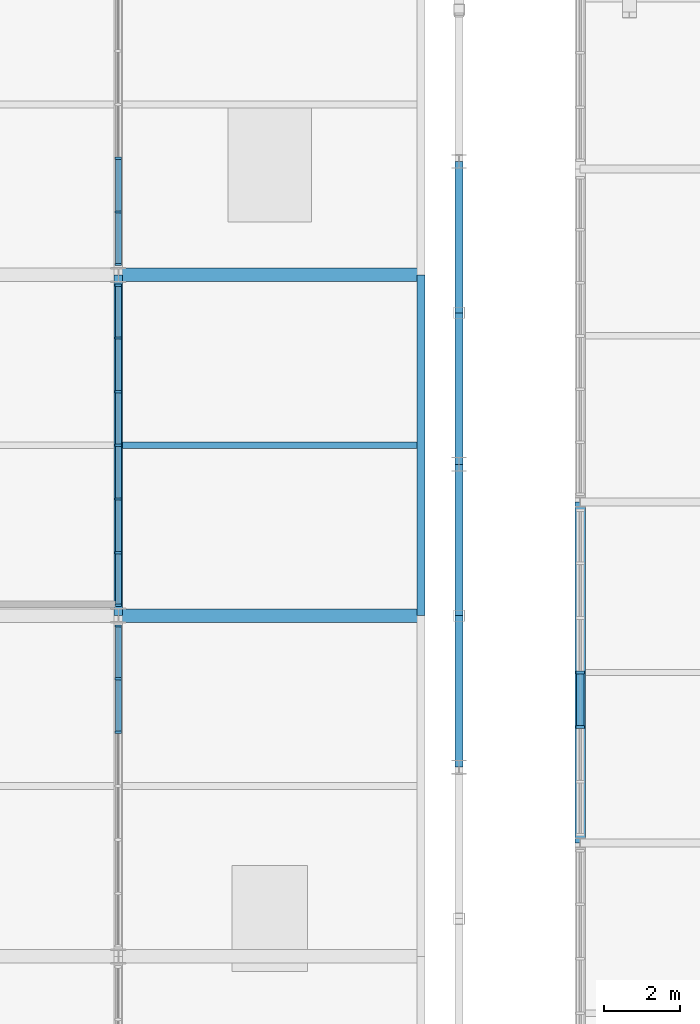
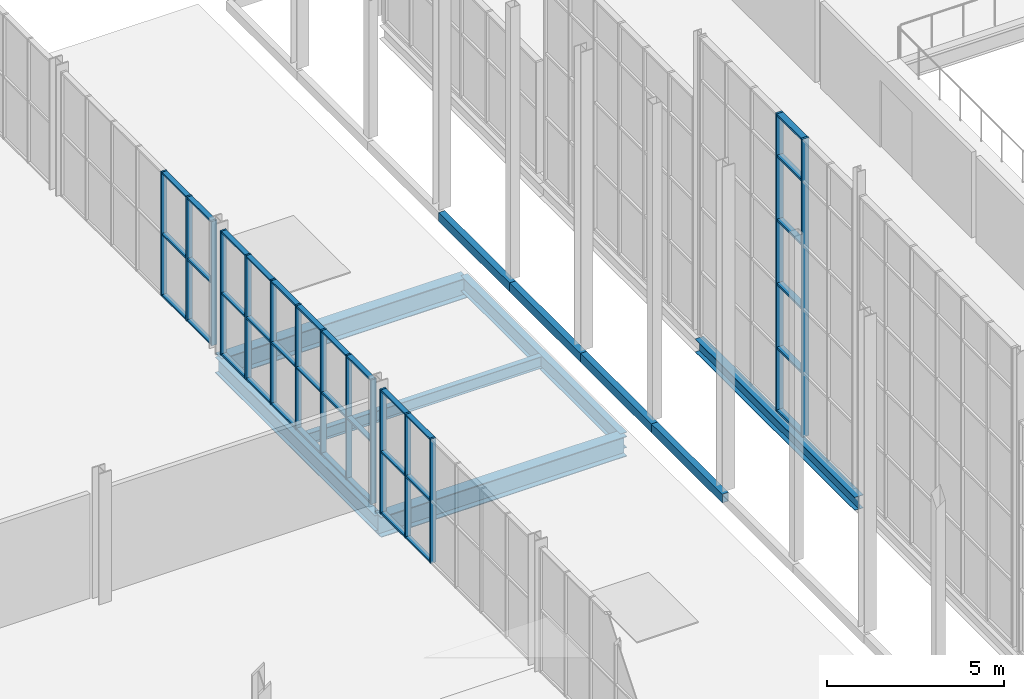
# One storey, part 53 of 134: 51 members, 10 beams, 4 elements without a shape of their own.
"""IFC4 building model written with IfcOpenShell, lengths in metres."""

import ifcopenshell
import ifcopenshell.guid

model = None  # the IFC model being written
_history = None  # IfcOwnerHistory: only IFC2X3 demands one
_inside = {}  # id of a spatial element -> (the spatial element, [elements in it])
_under = {}  # id of a project, library or spatial element -> (it, [spatial elements below it])
_declared = {}  # id of a project -> (the project, [libraries it declares])
_typed = {}  # id of a type object -> (the type object, [elements of that type])
_made_of = {}  # id of a material, layer set ... -> (it, [elements and type objects made of it])


def new_model(schema):
    """Start an empty IFC model of exactly this schema.

    Asked for "IFC4X3", IfcOpenShell would pick the latest addendum, in which some entities
    have other attributes; the version numbers below select the first issue.
    IFC2X3 requires an IfcOwnerHistory on every rooted entity: one is made here for all.
    """
    global model, _history
    if schema == "IFC4X3":
        model = ifcopenshell.file(schema_version=(4, 3, 0, 0))
    else:
        model = ifcopenshell.file(schema=schema)
    _inside.clear()
    _under.clear()
    _declared.clear()
    _typed.clear()
    _made_of.clear()
    _history = None
    if model.schema == "IFC2X3":
        org = make("IfcOrganization", Name="unknown")
        user = make(
            "IfcPersonAndOrganization",
            ThePerson=make("IfcPerson", FamilyName="unknown"),
            TheOrganization=org,
        )
        app = make(
            "IfcApplication",
            ApplicationDeveloper=org,
            Version="unknown",
            ApplicationFullName="unknown",
            ApplicationIdentifier="unknown",
        )
        _history = make(
            "IfcOwnerHistory",
            OwningUser=user,
            OwningApplication=app,
            ChangeAction="ADDED",
            CreationDate=0,
        )
    return model


def make(cls, **values):
    """One entity of the class cls with the attributes given. An attribute that is None is left unset."""
    return model.create_entity(
        cls, **{name: value for name, value in values.items() if value is not None}
    )


def rooted(cls, **values):
    """An entity with a GlobalId (a new one), such as an element, a storey or a relation."""
    return make(cls, GlobalId=ifcopenshell.guid.new(), OwnerHistory=_history, **values)


def si_unit(unit_type, name, prefix=None):
    """IfcSIUnit, for example si_unit("LENGTHUNIT", "METRE", prefix="MILLI")."""
    return make("IfcSIUnit", UnitType=unit_type, Prefix=prefix, Name=name)


def assignment(units):
    """IfcUnitAssignment: the units of a project."""
    return None if units is None else make("IfcUnitAssignment", Units=units)


def point(xyz):
    """IfcCartesianPoint."""
    return None if xyz is None else make("IfcCartesianPoint", Coordinates=xyz)


def direction(xyz):
    """IfcDirection."""
    return None if xyz is None else make("IfcDirection", DirectionRatios=xyz)


def frame(location, z_axis=None, x_axis=None):
    """IfcAxis2Placement3D, a coordinate frame: its origin and axes. An axis left out is left unset."""
    return make(
        "IfcAxis2Placement3D",
        Location=point(location),
        Axis=direction(z_axis),
        RefDirection=direction(x_axis),
    )


def frame_2d(location, x_axis=None):
    """IfcAxis2Placement2D, a coordinate frame in the plane: its origin and x axis."""
    return make(
        "IfcAxis2Placement2D", Location=point(location), RefDirection=direction(x_axis)
    )


def origin():
    """The frame at (0, 0, 0) with its axes left unset."""
    return frame((0.0, 0.0, 0.0))


def origin_2d():
    """The frame at (0, 0) in the plane with its x axis left unset."""
    return frame_2d((0.0, 0.0))


def place(relative_to, where):
    """IfcLocalPlacement: puts the frame where relative to a parent placement (None: the world)."""
    return make(
        "IfcLocalPlacement", PlacementRelTo=relative_to, RelativePlacement=where
    )


def context(
    kind, dimensions, precision=None, world=None, true_north=None, identifier=None
):
    """IfcGeometricRepresentationContext, for example the 3D "Model" context."""
    return make(
        "IfcGeometricRepresentationContext",
        ContextIdentifier=identifier,
        ContextType=kind,
        CoordinateSpaceDimension=dimensions,
        Precision=precision,
        WorldCoordinateSystem=world,
        TrueNorth=true_north,
    )


def subcontext(parent, identifier, kind, view, scale=None):
    """IfcGeometricRepresentationSubContext, for example "Body" below "Model"."""
    return make(
        "IfcGeometricRepresentationSubContext",
        ContextIdentifier=identifier,
        ContextType=kind,
        ParentContext=parent,
        TargetScale=scale,
        TargetView=view,
    )


def project(units=None, contexts=None):
    """IfcProject with its units and contexts."""
    return rooted(
        "IfcProject",
        Name="project",
        RepresentationContexts=contexts,
        UnitsInContext=assignment(units),
    )


def spatial(cls, under=None, at=None, **own):
    """A site, building, storey or space (cls), placed at a placement, below another one or the project."""
    s = rooted(cls, ObjectPlacement=at, **own)
    if under is not None:
        _under.setdefault(under.id(), (under, []))[1].append(s)
    return s


def profile(cls, at=None, kind="AREA", **sizes):
    """A parametric profile (cls). Its sizes go by their IFC names, for example OverallWidth=200.0."""
    return make(cls, ProfileType=kind, Position=at, **sizes)


def rectangle(**sizes):
    """IfcRectangleProfileDef."""
    return profile("IfcRectangleProfileDef", **sizes)


def hollow_rectangle(**sizes):
    """IfcRectangleHollowProfileDef."""
    return profile("IfcRectangleHollowProfileDef", **sizes)


def i_section(**sizes):
    """IfcIShapeProfileDef."""
    return profile("IfcIShapeProfileDef", **sizes)


def extrude(swept, where, along, depth):
    """IfcExtrudedAreaSolid: the profile swept, set in the frame where, extruded along a direction by depth."""
    return make(
        "IfcExtrudedAreaSolid",
        SweptArea=swept,
        Position=where,
        ExtrudedDirection=direction(along),
        Depth=depth,
    )


def shape(context_of_items, identifier, shape_type, items):
    """IfcShapeRepresentation: the items that make up one representation, for example the "Body"."""
    return make(
        "IfcShapeRepresentation",
        ContextOfItems=context_of_items,
        RepresentationIdentifier=identifier,
        RepresentationType=shape_type,
        Items=items,
    )


def material(Name=None, Category=None):
    """IfcMaterial."""
    return make("IfcMaterial", Name=Name, Category=Category)


def layer(
    of_material, thickness, ventilated=None, Name=None, Category=None, Priority=None
):
    """IfcMaterialLayer: one layer of a wall or slab, of a material (None: an air gap)."""
    return make(
        "IfcMaterialLayer",
        Material=of_material,
        LayerThickness=thickness,
        IsVentilated=ventilated,
        Name=Name,
        Category=Category,
        Priority=Priority,
    )


def layer_set(layers, Name=None):
    """IfcMaterialLayerSet."""
    return make("IfcMaterialLayerSet", MaterialLayers=layers, LayerSetName=Name)


def material_profile(
    of_material, cross_section, Name=None, Category=None, Priority=None
):
    """IfcMaterialProfile: a cross section and its material."""
    return make(
        "IfcMaterialProfile",
        Name=Name,
        Material=of_material,
        Profile=cross_section,
        Priority=Priority,
        Category=Category,
    )


def profile_set(profiles, Name=None, composite=None):
    """IfcMaterialProfileSet."""
    return make(
        "IfcMaterialProfileSet",
        Name=Name,
        MaterialProfiles=profiles,
        CompositeProfile=composite,
    )


def made_of(thing, what):
    """Note that an element or type object is made of a material, layer set ...; save() writes the relation."""
    if what is not None:
        _made_of.setdefault(what.id(), (what, []))[1].append(thing)
    return thing


def type_object(cls, material=None, **own):
    """A type object (cls), such as IfcWallType, which elements share."""
    return made_of(rooted(cls, **own), material)


def element(
    cls,
    number,
    at=None,
    inside=None,
    cuts=None,
    type_object=None,
    material=None,
    context=None,
    identifier="Body",
    shape_type=None,
    held_by="IfcProductDefinitionShape",
    body=None,
    shapes=None,
    **own,
):
    """One element of the class cls, such as IfcWall. Its Tag is "e" and its number.

    at: its placement. inside: the storey or other place that contains it. cuts: it is an
    opening in that element (IfcRelVoidsElement). A single representation is given by context,
    identifier, shape_type and body (its items); several are given by shapes. held_by: the class
    of the entity that holds the representations. save() writes the other relations.
    """
    e = rooted(cls, Tag="e%d" % number, ObjectPlacement=at, **own)
    if body is not None:
        shapes = [shape(context, identifier, shape_type, body)]
    if shapes is not None:
        e.Representation = make(held_by, Representations=shapes)
    if inside is not None:
        _inside.setdefault(inside.id(), (inside, []))[1].append(e)
    if cuts is not None:
        rooted(
            "IfcRelVoidsElement", RelatingBuildingElement=cuts, RelatedOpeningElement=e
        )
    if type_object is not None:
        _typed.setdefault(type_object.id(), (type_object, []))[1].append(e)
    return made_of(e, material)


def aggregate(whole, parts):
    """IfcRelAggregates: a whole, such as a stair, and the parts it consists of."""
    return rooted("IfcRelAggregates", RelatingObject=whole, RelatedObjects=parts)


def save(model, path):
    """Write the relations noted so far, then the file.

    IfcRelAggregates (storeys below a building ...), IfcRelContainedInSpatialStructure (elements
    in a storey), IfcRelDefinesByType, IfcRelAssociatesMaterial and IfcRelDeclares: one each for
    every whole, place, type object, material and project.
    """
    for whole, parts in _under.values():
        aggregate(whole, parts)
    for where, things in _inside.values():
        rooted(
            "IfcRelContainedInSpatialStructure",
            RelatedElements=things,
            RelatingStructure=where,
        )
    for kind, things in _typed.values():
        rooted("IfcRelDefinesByType", RelatedObjects=things, RelatingType=kind)
    for what, things in _made_of.values():
        rooted("IfcRelAssociatesMaterial", RelatedObjects=things, RelatingMaterial=what)
    for by, libraries in _declared.values():
        rooted("IfcRelDeclares", RelatingContext=by, RelatedDefinitions=libraries)
    model.write(path)


model = new_model("IFC4")

# Units and contexts
model_context = context("Model", 3, precision=1e-05, world=origin(), true_north=direction((0.0, 1.0)))
body_context = subcontext(model_context, "Body", "Model", "MODEL_VIEW")
ifc_project = project(units=[si_unit("LENGTHUNIT", "METRE"), si_unit("AREAUNIT", "SQUARE_METRE"), si_unit("VOLUMEUNIT", "CUBIC_METRE"), si_unit("PLANEANGLEUNIT", "RADIAN"), si_unit("MASSUNIT", "GRAM", prefix="KILO")], contexts=[model_context])

# Site, building, storey
site_placement = place(None, origin())
site = spatial("IfcSite", under=ifc_project, at=site_placement, CompositionType="ELEMENT")
building_placement = place(site_placement, origin())
building = spatial("IfcBuilding", under=site, at=building_placement, Name="Cazmaro Siding Exhibition Halls", CompositionType="ELEMENT")
storey_placement = place(building_placement, frame((0.0, 0.0, 12.0)))
storey = spatial("IfcBuildingStorey", under=building, at=storey_placement, Name="L02", CompositionType="ELEMENT", Elevation=12.0)

# Beams
ifc_material_1 = material(Name="Steel ASTM A992 Grade 50", Category="steel")
ifc_material_profile_1 = material_profile(ifc_material_1, i_section(OverallWidth=0.214111328125, OverallDepth=0.549072265625, WebThickness=0.014892578125, FlangeThickness=0.02392578125, at=origin_2d()), Name="W21X93")
ifc_profile_set_1 = profile_set([ifc_material_profile_1], Name="Steel ASTM A992 Grade 50")
beam_type_1 = type_object("IfcBeamType", Name="B-01", PredefinedType="BEAM", material=ifc_profile_set_1)
beam_1_placement = place(storey_placement, frame((36.0, 100.0, -0.4951171875), z_axis=(0.0, 1.0, 0.0), x_axis=(-1.0, 0.0, 0.0)))
element("IfcBeam", 1, at=beam_1_placement, inside=storey, type_object=beam_type_1, Name="Beam B-01 BM-2153", PredefinedType="BEAM", context=body_context, shape_type="SweptSolid", body=[
    extrude(i_section(OverallWidth=0.214111328125, OverallDepth=0.549072265625, WebThickness=0.014892578125, FlangeThickness=0.02392578125, at=origin_2d()), origin(), (0.0, 0.0, 1.0), 9.0),
])
ifc_material_2 = material(Name="Steel ASTM A992 Grade 50", Category="steel")
ifc_material_profile_2 = material_profile(ifc_material_2, i_section(OverallWidth=0.2099609375, OverallDepth=0.535888671875, WebThickness=0.010986328125, FlangeThickness=0.01708984375, at=origin_2d()), Name="W21X68")
ifc_profile_set_2 = profile_set([ifc_material_profile_2], Name="Steel ASTM A992 Grade 50")
beam_type_2 = type_object("IfcBeamType", Name="B-02", PredefinedType="BEAM", material=ifc_profile_set_2)
beam_2_placement = place(storey_placement, frame((44.0, 100.0, -0.488037109375), z_axis=(0.0, 1.0, 0.0), x_axis=(-1.0, 0.0, 0.0)))
element("IfcBeam", 2, at=beam_2_placement, inside=storey, type_object=beam_type_2, Name="Beam B-02 BM-2166", PredefinedType="BEAM", context=body_context, shape_type="SweptSolid", body=[
    extrude(i_section(OverallWidth=0.2099609375, OverallDepth=0.535888671875, WebThickness=0.010986328125, FlangeThickness=0.01708984375, at=origin_2d()), origin(), (0.0, 0.0, 1.0), 9.0),
])
ifc_material_3 = material(Name="Steel ASTM A992 Grade 50", Category="steel")
ifc_material_profile_3 = material_profile(ifc_material_3, i_section(OverallWidth=0.279052734375, OverallDepth=0.4619140625, WebThickness=0.010986328125, FlangeThickness=0.01708984375, at=origin_2d()), Name="W18X76")
ifc_profile_set_3 = profile_set([ifc_material_profile_3], Name="Steel ASTM A992 Grade 50")
beam_type_3 = type_object("IfcBeamType", Name="B-03", PredefinedType="BEAM", material=ifc_profile_set_3)
beam_3_placement = place(storey_placement, frame((48.199951171875, 94.0, -0.450927734375), z_axis=(0.0, 1.0, 0.0), x_axis=(-1.0, 0.0, 0.0)))
element("IfcBeam", 3, at=beam_3_placement, inside=storey, type_object=beam_type_3, Name="Beam B-03 BM-0495", PredefinedType="BEAM", context=body_context, shape_type="SweptSolid", body=[
    extrude(i_section(OverallWidth=0.279052734375, OverallDepth=0.4619140625, WebThickness=0.010986328125, FlangeThickness=0.01708984375, at=origin_2d()), origin(), (0.0, 0.0, 1.0), 9.0),
])

# Curtain wall, members
ifc_material_4 = material(Name="Anodized Bronze Aluminum and Solar-Control Low-E Glazing", Category="aluminium")
ifc_layer_1 = layer(ifc_material_4, 0.179931640625)
ifc_layer_set_1 = layer_set([ifc_layer_1], Name="Anodized Bronze Aluminum and Solar-Control Low-E Glazing")
curtain_wall_type_1 = type_object("IfcCurtainWallType", Name="CWS-01", PredefinedType="USERDEFINED", material=ifc_layer_set_1)
curtain_wall_1_placement = place(storey_placement, origin())
curtain_wall_1 = element("IfcCurtainWall", 4, at=curtain_wall_1_placement, inside=storey, type_object=curtain_wall_type_1, Name="Glazed Curtain Wall CWS-01 CW-241", ObjectType="GLAZED CURTAIN WALL", PredefinedType="USERDEFINED")
ifc_material_5 = material(Name="Anodized Bronze Extruded Aluminum", Category="aluminium")
ifc_material_profile_4 = material_profile(ifc_material_5, rectangle(XDim=0.179931640625, YDim=0.06005859375, at=origin_2d()), Name="CWM-01")
ifc_profile_set_4 = profile_set([ifc_material_profile_4], Name="Anodized Bronze Extruded Aluminum")
member_type_1 = type_object("IfcMemberType", Name="CWM-01", PredefinedType="MULLION", material=ifc_profile_set_4)
member_1_placement = place(storey_placement, frame((36.0, 96.918212890625, 0.0), z_axis=(0.0, 0.0, 1.0), x_axis=(-1.0, 0.0, 0.0)))
member_1 = element("IfcMember", 5, at=member_1_placement, type_object=member_type_1, Name="CWS-01 mullion 5", PredefinedType="MULLION", context=body_context, shape_type="SweptSolid", body=[
    extrude(rectangle(XDim=0.179931640625, YDim=0.06005859375, at=origin_2d()), origin(), (0.0, 0.0, 1.0), 4.280029296875),
])
member_2_placement = place(storey_placement, frame((36.0, 98.336669921875, 0.0), z_axis=(0.0, 0.0, 1.0), x_axis=(-1.0, 0.0, 0.0)))
member_2 = element("IfcMember", 6, at=member_2_placement, type_object=member_type_1, Name="CWS-01 mullion 6", PredefinedType="MULLION", context=body_context, shape_type="SweptSolid", body=[
    extrude(rectangle(XDim=0.179931640625, YDim=0.06005859375, at=origin_2d()), origin(), (0.0, 0.0, 1.0), 4.280029296875),
])
member_3_placement = place(storey_placement, frame((36.0, 99.72509765625, 0.0), z_axis=(0.0, 0.0, 1.0), x_axis=(-1.0, 0.0, 0.0)))
member_3 = element("IfcMember", 7, at=member_3_placement, type_object=member_type_1, Name="CWS-01 mullion 7", PredefinedType="MULLION", context=body_context, shape_type="SweptSolid", body=[
    extrude(rectangle(XDim=0.179931640625, YDim=0.06005859375, at=origin_2d()), origin(), (0.0, 0.0, 1.0), 4.280029296875),
])

curtain_wall_2_placement = place(storey_placement, origin())
curtain_wall_2 = element("IfcCurtainWall", 8, at=curtain_wall_2_placement, inside=storey, type_object=curtain_wall_type_1, Name="Glazed Curtain Wall CWS-01 CW-243", ObjectType="GLAZED CURTAIN WALL", PredefinedType="USERDEFINED")
member_4_placement = place(storey_placement, frame((36.0, 100.27490234375, 0.0), z_axis=(0.0, 0.0, 1.0), x_axis=(-1.0, 0.0, 0.0)))
member_4 = element("IfcMember", 9, at=member_4_placement, type_object=member_type_1, Name="CWS-01 mullion 1", PredefinedType="MULLION", context=body_context, shape_type="SweptSolid", body=[
    extrude(rectangle(XDim=0.179931640625, YDim=0.06005859375, at=origin_2d()), origin(), (0.0, 0.0, 1.0), 4.280029296875),
])
member_5_placement = place(storey_placement, frame((36.0, 101.663330078125, 0.0), z_axis=(0.0, 0.0, 1.0), x_axis=(-1.0, 0.0, 0.0)))
member_5 = element("IfcMember", 10, at=member_5_placement, type_object=member_type_1, Name="CWS-01 mullion 2", PredefinedType="MULLION", context=body_context, shape_type="SweptSolid", body=[
    extrude(rectangle(XDim=0.179931640625, YDim=0.06005859375, at=origin_2d()), origin(), (0.0, 0.0, 1.0), 4.280029296875),
])
member_6_placement = place(storey_placement, frame((36.0, 103.081787109375, 0.0), z_axis=(0.0, 0.0, 1.0), x_axis=(-1.0, 0.0, 0.0)))
member_6 = element("IfcMember", 11, at=member_6_placement, type_object=member_type_1, Name="CWS-01 mullion 3", PredefinedType="MULLION", context=body_context, shape_type="SweptSolid", body=[
    extrude(rectangle(XDim=0.179931640625, YDim=0.06005859375, at=origin_2d()), origin(), (0.0, 0.0, 1.0), 4.280029296875),
])
member_7_placement = place(storey_placement, frame((36.0, 104.5, 0.0), z_axis=(0.0, 0.0, 1.0), x_axis=(-1.0, 0.0, 0.0)))
member_7 = element("IfcMember", 12, at=member_7_placement, type_object=member_type_1, Name="CWS-01 mullion 4", PredefinedType="MULLION", context=body_context, shape_type="SweptSolid", body=[
    extrude(rectangle(XDim=0.179931640625, YDim=0.06005859375, at=origin_2d()), origin(), (0.0, 0.0, 1.0), 4.280029296875),
])
member_8_placement = place(storey_placement, frame((36.0, 105.918212890625, 0.0), z_axis=(0.0, 0.0, 1.0), x_axis=(-1.0, 0.0, 0.0)))
member_8 = element("IfcMember", 13, at=member_8_placement, type_object=member_type_1, Name="CWS-01 mullion 5", PredefinedType="MULLION", context=body_context, shape_type="SweptSolid", body=[
    extrude(rectangle(XDim=0.179931640625, YDim=0.06005859375, at=origin_2d()), origin(), (0.0, 0.0, 1.0), 4.280029296875),
])
member_9_placement = place(storey_placement, frame((36.0, 107.336669921875, 0.0), z_axis=(0.0, 0.0, 1.0), x_axis=(-1.0, 0.0, 0.0)))
member_9 = element("IfcMember", 14, at=member_9_placement, type_object=member_type_1, Name="CWS-01 mullion 6", PredefinedType="MULLION", context=body_context, shape_type="SweptSolid", body=[
    extrude(rectangle(XDim=0.179931640625, YDim=0.06005859375, at=origin_2d()), origin(), (0.0, 0.0, 1.0), 4.280029296875),
])
member_10_placement = place(storey_placement, frame((36.0, 108.72509765625, 0.0), z_axis=(0.0, 0.0, 1.0), x_axis=(-1.0, 0.0, 0.0)))
member_10 = element("IfcMember", 15, at=member_10_placement, type_object=member_type_1, Name="CWS-01 mullion 7", PredefinedType="MULLION", context=body_context, shape_type="SweptSolid", body=[
    extrude(rectangle(XDim=0.179931640625, YDim=0.06005859375, at=origin_2d()), origin(), (0.0, 0.0, 1.0), 4.280029296875),
])

curtain_wall_3_placement = place(storey_placement, origin())
curtain_wall_3 = element("IfcCurtainWall", 16, at=curtain_wall_3_placement, inside=storey, type_object=curtain_wall_type_1, Name="Glazed Curtain Wall CWS-01 CW-244", ObjectType="GLAZED CURTAIN WALL", PredefinedType="USERDEFINED")
member_11_placement = place(storey_placement, frame((36.0, 109.27490234375, 0.0), z_axis=(0.0, 0.0, 1.0), x_axis=(-1.0, 0.0, 0.0)))
member_11 = element("IfcMember", 17, at=member_11_placement, type_object=member_type_1, Name="CWS-01 mullion 1", PredefinedType="MULLION", context=body_context, shape_type="SweptSolid", body=[
    extrude(rectangle(XDim=0.179931640625, YDim=0.06005859375, at=origin_2d()), origin(), (0.0, 0.0, 1.0), 4.280029296875),
])
member_12_placement = place(storey_placement, frame((36.0, 110.663330078125, 0.0), z_axis=(0.0, 0.0, 1.0), x_axis=(-1.0, 0.0, 0.0)))
member_12 = element("IfcMember", 18, at=member_12_placement, type_object=member_type_1, Name="CWS-01 mullion 2", PredefinedType="MULLION", context=body_context, shape_type="SweptSolid", body=[
    extrude(rectangle(XDim=0.179931640625, YDim=0.06005859375, at=origin_2d()), origin(), (0.0, 0.0, 1.0), 4.280029296875),
])
member_13_placement = place(storey_placement, frame((36.0, 112.081787109375, 0.0), z_axis=(0.0, 0.0, 1.0), x_axis=(-1.0, 0.0, 0.0)))
member_13 = element("IfcMember", 19, at=member_13_placement, type_object=member_type_1, Name="CWS-01 mullion 3", PredefinedType="MULLION", context=body_context, shape_type="SweptSolid", body=[
    extrude(rectangle(XDim=0.179931640625, YDim=0.06005859375, at=origin_2d()), origin(), (0.0, 0.0, 1.0), 4.280029296875),
])

ifc_material_6 = material(Name="Anodized Bronze Aluminum and Solar-Control Low-E Glazing", Category="aluminium")
ifc_layer_2 = layer(ifc_material_6, 0.219970703125)
ifc_layer_set_2 = layer_set([ifc_layer_2], Name="Anodized Bronze Aluminum and Solar-Control Low-E Glazing")
curtain_wall_type_2 = type_object("IfcCurtainWallType", Name="CWS-03", PredefinedType="USERDEFINED", material=ifc_layer_set_2)
curtain_wall_4_placement = place(storey_placement, origin())
curtain_wall_4 = element("IfcCurtainWall", 20, at=curtain_wall_4_placement, inside=storey, type_object=curtain_wall_type_2, Name="Glazed Curtain Wall CWS-03 CW-058", ObjectType="GLAZED CURTAIN WALL", PredefinedType="USERDEFINED")
ifc_material_7 = material(Name="Anodized Bronze Extruded Aluminum", Category="aluminium")
ifc_material_profile_5 = material_profile(ifc_material_7, rectangle(XDim=0.219970703125, YDim=0.070068359375, at=origin_2d()), Name="CWM-03")
ifc_profile_set_5 = profile_set([ifc_material_profile_5], Name="Anodized Bronze Extruded Aluminum")
member_type_2 = type_object("IfcMemberType", Name="CWM-03", PredefinedType="MULLION", material=ifc_profile_set_5)
member_14_placement = place(storey_placement, frame((48.199951171875, 98.5, 0.0), z_axis=(0.0, 0.0, 1.0), x_axis=(1.0, 0.0, 0.0)))
member_14 = element("IfcMember", 21, at=member_14_placement, type_object=member_type_2, Name="CWS-03 mullion 4", PredefinedType="MULLION", context=body_context, shape_type="SweptSolid", body=[
    extrude(rectangle(XDim=0.219970703125, YDim=0.070068359375, at=origin_2d()), origin(), (0.0, 0.0, 1.0), 10.258056640625),
])
member_15_placement = place(storey_placement, frame((48.199951171875, 97.05908203125, 0.0), z_axis=(0.0, 0.0, 1.0), x_axis=(1.0, 0.0, 0.0)))
member_15 = element("IfcMember", 22, at=member_15_placement, type_object=member_type_2, Name="CWS-03 mullion 5", PredefinedType="MULLION", context=body_context, shape_type="SweptSolid", body=[
    extrude(rectangle(XDim=0.219970703125, YDim=0.070068359375, at=origin_2d()), origin(), (0.0, 0.0, 1.0), 10.258056640625),
])

# Member
ifc_material_8 = material(Name="Anodized Bronze Extruded Aluminum", Category="aluminium")
ifc_material_profile_6 = material_profile(ifc_material_8, rectangle(XDim=0.159912109375, YDim=0.06005859375, at=origin_2d()), Name="CWT-01")
ifc_profile_set_6 = profile_set([ifc_material_profile_6], Name="Anodized Bronze Extruded Aluminum")
member_type_3 = type_object("IfcMemberType", Name="CWT-01", PredefinedType="MULLION", material=ifc_profile_set_6)
member_16_placement = place(storey_placement, frame((36.0, 96.9482421875, 0.030029296875), z_axis=(0.0, 1.0, 0.0), x_axis=(-1.0, 0.0, 0.0)))
member_16 = element("IfcMember", 23, at=member_16_placement, type_object=member_type_3, Name="CWS-01 transom 5.1", ObjectType="TRANSOM", PredefinedType="USERDEFINED", context=body_context, shape_type="SweptSolid", body=[
    extrude(rectangle(XDim=0.159912109375, YDim=0.06005859375, at=origin_2d()), origin(), (0.0, 0.0, 1.0), 1.3583984375),
])

member_17_placement = place(storey_placement, frame((36.0, 96.9482421875, 2.139892578125), z_axis=(0.0, 1.0, 0.0), x_axis=(-1.0, 0.0, 0.0)))
member_17 = element("IfcMember", 24, at=member_17_placement, type_object=member_type_3, Name="CWS-01 transom 5.2", ObjectType="TRANSOM", PredefinedType="USERDEFINED", context=body_context, shape_type="SweptSolid", body=[
    extrude(rectangle(XDim=0.159912109375, YDim=0.06005859375, at=origin_2d()), origin(), (0.0, 0.0, 1.0), 1.3583984375),
])

member_18_placement = place(storey_placement, frame((36.0, 96.9482421875, 4.25), z_axis=(0.0, 1.0, 0.0), x_axis=(-1.0, 0.0, 0.0)))
member_18 = element("IfcMember", 25, at=member_18_placement, type_object=member_type_3, Name="CWS-01 transom 5.3", ObjectType="TRANSOM", PredefinedType="USERDEFINED", context=body_context, shape_type="SweptSolid", body=[
    extrude(rectangle(XDim=0.159912109375, YDim=0.06005859375, at=origin_2d()), origin(), (0.0, 0.0, 1.0), 1.3583984375),
])

member_19_placement = place(storey_placement, frame((36.0, 98.36669921875, 0.030029296875), z_axis=(0.0, 1.0, 0.0), x_axis=(-1.0, 0.0, 0.0)))
member_19 = element("IfcMember", 26, at=member_19_placement, type_object=member_type_3, Name="CWS-01 transom 6.1", ObjectType="TRANSOM", PredefinedType="USERDEFINED", context=body_context, shape_type="SweptSolid", body=[
    extrude(rectangle(XDim=0.159912109375, YDim=0.06005859375, at=origin_2d()), origin(), (0.0, 0.0, 1.0), 1.328369140625),
])

member_20_placement = place(storey_placement, frame((36.0, 98.36669921875, 2.139892578125), z_axis=(0.0, 1.0, 0.0), x_axis=(-1.0, 0.0, 0.0)))
member_20 = element("IfcMember", 27, at=member_20_placement, type_object=member_type_3, Name="CWS-01 transom 6.2", ObjectType="TRANSOM", PredefinedType="USERDEFINED", context=body_context, shape_type="SweptSolid", body=[
    extrude(rectangle(XDim=0.159912109375, YDim=0.06005859375, at=origin_2d()), origin(), (0.0, 0.0, 1.0), 1.328369140625),
])

member_21_placement = place(storey_placement, frame((36.0, 98.36669921875, 4.25), z_axis=(0.0, 1.0, 0.0), x_axis=(-1.0, 0.0, 0.0)))
member_21 = element("IfcMember", 28, at=member_21_placement, type_object=member_type_3, Name="CWS-01 transom 6.3", ObjectType="TRANSOM", PredefinedType="USERDEFINED", context=body_context, shape_type="SweptSolid", body=[
    extrude(rectangle(XDim=0.159912109375, YDim=0.06005859375, at=origin_2d()), origin(), (0.0, 0.0, 1.0), 1.328369140625),
])

aggregate(curtain_wall_1, [member_1, member_2, member_3, member_16, member_17, member_18, member_19, member_20, member_21])

member_22_placement = place(storey_placement, frame((36.0, 100.304931640625, 0.030029296875), z_axis=(0.0, 1.0, 0.0), x_axis=(-1.0, 0.0, 0.0)))
member_22 = element("IfcMember", 29, at=member_22_placement, type_object=member_type_3, Name="CWS-01 transom 1.1", ObjectType="TRANSOM", PredefinedType="USERDEFINED", context=body_context, shape_type="SweptSolid", body=[
    extrude(rectangle(XDim=0.159912109375, YDim=0.06005859375, at=origin_2d()), origin(), (0.0, 0.0, 1.0), 1.328369140625),
])

member_23_placement = place(storey_placement, frame((36.0, 100.304931640625, 2.139892578125), z_axis=(0.0, 1.0, 0.0), x_axis=(-1.0, 0.0, 0.0)))
member_23 = element("IfcMember", 30, at=member_23_placement, type_object=member_type_3, Name="CWS-01 transom 1.2", ObjectType="TRANSOM", PredefinedType="USERDEFINED", context=body_context, shape_type="SweptSolid", body=[
    extrude(rectangle(XDim=0.159912109375, YDim=0.06005859375, at=origin_2d()), origin(), (0.0, 0.0, 1.0), 1.328369140625),
])

member_24_placement = place(storey_placement, frame((36.0, 100.304931640625, 4.25), z_axis=(0.0, 1.0, 0.0), x_axis=(-1.0, 0.0, 0.0)))
member_24 = element("IfcMember", 31, at=member_24_placement, type_object=member_type_3, Name="CWS-01 transom 1.3", ObjectType="TRANSOM", PredefinedType="USERDEFINED", context=body_context, shape_type="SweptSolid", body=[
    extrude(rectangle(XDim=0.159912109375, YDim=0.06005859375, at=origin_2d()), origin(), (0.0, 0.0, 1.0), 1.328369140625),
])

member_25_placement = place(storey_placement, frame((36.0, 101.693359375, 0.030029296875), z_axis=(0.0, 1.0, 0.0), x_axis=(-1.0, 0.0, 0.0)))
member_25 = element("IfcMember", 32, at=member_25_placement, type_object=member_type_3, Name="CWS-01 transom 2.1", ObjectType="TRANSOM", PredefinedType="USERDEFINED", context=body_context, shape_type="SweptSolid", body=[
    extrude(rectangle(XDim=0.159912109375, YDim=0.06005859375, at=origin_2d()), origin(), (0.0, 0.0, 1.0), 1.3583984375),
])

member_26_placement = place(storey_placement, frame((36.0, 101.693359375, 2.139892578125), z_axis=(0.0, 1.0, 0.0), x_axis=(-1.0, 0.0, 0.0)))
member_26 = element("IfcMember", 33, at=member_26_placement, type_object=member_type_3, Name="CWS-01 transom 2.2", ObjectType="TRANSOM", PredefinedType="USERDEFINED", context=body_context, shape_type="SweptSolid", body=[
    extrude(rectangle(XDim=0.159912109375, YDim=0.06005859375, at=origin_2d()), origin(), (0.0, 0.0, 1.0), 1.3583984375),
])

member_27_placement = place(storey_placement, frame((36.0, 101.693359375, 4.25), z_axis=(0.0, 1.0, 0.0), x_axis=(-1.0, 0.0, 0.0)))
member_27 = element("IfcMember", 34, at=member_27_placement, type_object=member_type_3, Name="CWS-01 transom 2.3", ObjectType="TRANSOM", PredefinedType="USERDEFINED", context=body_context, shape_type="SweptSolid", body=[
    extrude(rectangle(XDim=0.159912109375, YDim=0.06005859375, at=origin_2d()), origin(), (0.0, 0.0, 1.0), 1.3583984375),
])

member_28_placement = place(storey_placement, frame((36.0, 103.111572265625, 0.030029296875), z_axis=(0.0, 1.0, 0.0), x_axis=(-1.0, 0.0, 0.0)))
member_28 = element("IfcMember", 35, at=member_28_placement, type_object=member_type_3, Name="CWS-01 transom 3.1", ObjectType="TRANSOM", PredefinedType="USERDEFINED", context=body_context, shape_type="SweptSolid", body=[
    extrude(rectangle(XDim=0.159912109375, YDim=0.06005859375, at=origin_2d()), origin(), (0.0, 0.0, 1.0), 1.3583984375),
])

member_29_placement = place(storey_placement, frame((36.0, 103.111572265625, 2.139892578125), z_axis=(0.0, 1.0, 0.0), x_axis=(-1.0, 0.0, 0.0)))
member_29 = element("IfcMember", 36, at=member_29_placement, type_object=member_type_3, Name="CWS-01 transom 3.2", ObjectType="TRANSOM", PredefinedType="USERDEFINED", context=body_context, shape_type="SweptSolid", body=[
    extrude(rectangle(XDim=0.159912109375, YDim=0.06005859375, at=origin_2d()), origin(), (0.0, 0.0, 1.0), 1.3583984375),
])

member_30_placement = place(storey_placement, frame((36.0, 103.111572265625, 4.25), z_axis=(0.0, 1.0, 0.0), x_axis=(-1.0, 0.0, 0.0)))
member_30 = element("IfcMember", 37, at=member_30_placement, type_object=member_type_3, Name="CWS-01 transom 3.3", ObjectType="TRANSOM", PredefinedType="USERDEFINED", context=body_context, shape_type="SweptSolid", body=[
    extrude(rectangle(XDim=0.159912109375, YDim=0.06005859375, at=origin_2d()), origin(), (0.0, 0.0, 1.0), 1.3583984375),
])

member_31_placement = place(storey_placement, frame((36.0, 104.530029296875, 0.030029296875), z_axis=(0.0, 1.0, 0.0), x_axis=(-1.0, 0.0, 0.0)))
member_31 = element("IfcMember", 38, at=member_31_placement, type_object=member_type_3, Name="CWS-01 transom 4.1", ObjectType="TRANSOM", PredefinedType="USERDEFINED", context=body_context, shape_type="SweptSolid", body=[
    extrude(rectangle(XDim=0.159912109375, YDim=0.06005859375, at=origin_2d()), origin(), (0.0, 0.0, 1.0), 1.3583984375),
])

member_32_placement = place(storey_placement, frame((36.0, 104.530029296875, 2.139892578125), z_axis=(0.0, 1.0, 0.0), x_axis=(-1.0, 0.0, 0.0)))
member_32 = element("IfcMember", 39, at=member_32_placement, type_object=member_type_3, Name="CWS-01 transom 4.2", ObjectType="TRANSOM", PredefinedType="USERDEFINED", context=body_context, shape_type="SweptSolid", body=[
    extrude(rectangle(XDim=0.159912109375, YDim=0.06005859375, at=origin_2d()), origin(), (0.0, 0.0, 1.0), 1.3583984375),
])

member_33_placement = place(storey_placement, frame((36.0, 104.530029296875, 4.25), z_axis=(0.0, 1.0, 0.0), x_axis=(-1.0, 0.0, 0.0)))
member_33 = element("IfcMember", 40, at=member_33_placement, type_object=member_type_3, Name="CWS-01 transom 4.3", ObjectType="TRANSOM", PredefinedType="USERDEFINED", context=body_context, shape_type="SweptSolid", body=[
    extrude(rectangle(XDim=0.159912109375, YDim=0.06005859375, at=origin_2d()), origin(), (0.0, 0.0, 1.0), 1.3583984375),
])

member_34_placement = place(storey_placement, frame((36.0, 105.9482421875, 0.030029296875), z_axis=(0.0, 1.0, 0.0), x_axis=(-1.0, 0.0, 0.0)))
member_34 = element("IfcMember", 41, at=member_34_placement, type_object=member_type_3, Name="CWS-01 transom 5.1", ObjectType="TRANSOM", PredefinedType="USERDEFINED", context=body_context, shape_type="SweptSolid", body=[
    extrude(rectangle(XDim=0.159912109375, YDim=0.06005859375, at=origin_2d()), origin(), (0.0, 0.0, 1.0), 1.3583984375),
])

member_35_placement = place(storey_placement, frame((36.0, 105.9482421875, 2.139892578125), z_axis=(0.0, 1.0, 0.0), x_axis=(-1.0, 0.0, 0.0)))
member_35 = element("IfcMember", 42, at=member_35_placement, type_object=member_type_3, Name="CWS-01 transom 5.2", ObjectType="TRANSOM", PredefinedType="USERDEFINED", context=body_context, shape_type="SweptSolid", body=[
    extrude(rectangle(XDim=0.159912109375, YDim=0.06005859375, at=origin_2d()), origin(), (0.0, 0.0, 1.0), 1.3583984375),
])

member_36_placement = place(storey_placement, frame((36.0, 105.9482421875, 4.25), z_axis=(0.0, 1.0, 0.0), x_axis=(-1.0, 0.0, 0.0)))
member_36 = element("IfcMember", 43, at=member_36_placement, type_object=member_type_3, Name="CWS-01 transom 5.3", ObjectType="TRANSOM", PredefinedType="USERDEFINED", context=body_context, shape_type="SweptSolid", body=[
    extrude(rectangle(XDim=0.159912109375, YDim=0.06005859375, at=origin_2d()), origin(), (0.0, 0.0, 1.0), 1.3583984375),
])

member_37_placement = place(storey_placement, frame((36.0, 107.36669921875, 0.030029296875), z_axis=(0.0, 1.0, 0.0), x_axis=(-1.0, 0.0, 0.0)))
member_37 = element("IfcMember", 44, at=member_37_placement, type_object=member_type_3, Name="CWS-01 transom 6.1", ObjectType="TRANSOM", PredefinedType="USERDEFINED", context=body_context, shape_type="SweptSolid", body=[
    extrude(rectangle(XDim=0.159912109375, YDim=0.06005859375, at=origin_2d()), origin(), (0.0, 0.0, 1.0), 1.328369140625),
])

member_38_placement = place(storey_placement, frame((36.0, 107.36669921875, 2.139892578125), z_axis=(0.0, 1.0, 0.0), x_axis=(-1.0, 0.0, 0.0)))
member_38 = element("IfcMember", 45, at=member_38_placement, type_object=member_type_3, Name="CWS-01 transom 6.2", ObjectType="TRANSOM", PredefinedType="USERDEFINED", context=body_context, shape_type="SweptSolid", body=[
    extrude(rectangle(XDim=0.159912109375, YDim=0.06005859375, at=origin_2d()), origin(), (0.0, 0.0, 1.0), 1.328369140625),
])

member_39_placement = place(storey_placement, frame((36.0, 107.36669921875, 4.25), z_axis=(0.0, 1.0, 0.0), x_axis=(-1.0, 0.0, 0.0)))
member_39 = element("IfcMember", 46, at=member_39_placement, type_object=member_type_3, Name="CWS-01 transom 6.3", ObjectType="TRANSOM", PredefinedType="USERDEFINED", context=body_context, shape_type="SweptSolid", body=[
    extrude(rectangle(XDim=0.159912109375, YDim=0.06005859375, at=origin_2d()), origin(), (0.0, 0.0, 1.0), 1.328369140625),
])

aggregate(curtain_wall_2, [member_4, member_5, member_6, member_7, member_8, member_9, member_10, member_22, member_23, member_24, member_25, member_26, member_27, member_28, member_29, member_30, member_31, member_32, member_33, member_34, member_35, member_36, member_37, member_38, member_39])

member_40_placement = place(storey_placement, frame((36.0, 109.304931640625, 0.030029296875), z_axis=(0.0, 1.0, 0.0), x_axis=(-1.0, 0.0, 0.0)))
member_40 = element("IfcMember", 47, at=member_40_placement, type_object=member_type_3, Name="CWS-01 transom 1.1", ObjectType="TRANSOM", PredefinedType="USERDEFINED", context=body_context, shape_type="SweptSolid", body=[
    extrude(rectangle(XDim=0.159912109375, YDim=0.06005859375, at=origin_2d()), origin(), (0.0, 0.0, 1.0), 1.328369140625),
])

member_41_placement = place(storey_placement, frame((36.0, 109.304931640625, 2.139892578125), z_axis=(0.0, 1.0, 0.0), x_axis=(-1.0, 0.0, 0.0)))
member_41 = element("IfcMember", 48, at=member_41_placement, type_object=member_type_3, Name="CWS-01 transom 1.2", ObjectType="TRANSOM", PredefinedType="USERDEFINED", context=body_context, shape_type="SweptSolid", body=[
    extrude(rectangle(XDim=0.159912109375, YDim=0.06005859375, at=origin_2d()), origin(), (0.0, 0.0, 1.0), 1.328369140625),
])

member_42_placement = place(storey_placement, frame((36.0, 109.304931640625, 4.25), z_axis=(0.0, 1.0, 0.0), x_axis=(-1.0, 0.0, 0.0)))
member_42 = element("IfcMember", 49, at=member_42_placement, type_object=member_type_3, Name="CWS-01 transom 1.3", ObjectType="TRANSOM", PredefinedType="USERDEFINED", context=body_context, shape_type="SweptSolid", body=[
    extrude(rectangle(XDim=0.159912109375, YDim=0.06005859375, at=origin_2d()), origin(), (0.0, 0.0, 1.0), 1.328369140625),
])

member_43_placement = place(storey_placement, frame((36.0, 110.693359375, 0.030029296875), z_axis=(0.0, 1.0, 0.0), x_axis=(-1.0, 0.0, 0.0)))
member_43 = element("IfcMember", 50, at=member_43_placement, type_object=member_type_3, Name="CWS-01 transom 2.1", ObjectType="TRANSOM", PredefinedType="USERDEFINED", context=body_context, shape_type="SweptSolid", body=[
    extrude(rectangle(XDim=0.159912109375, YDim=0.06005859375, at=origin_2d()), origin(), (0.0, 0.0, 1.0), 1.3583984375),
])

member_44_placement = place(storey_placement, frame((36.0, 110.693359375, 2.139892578125), z_axis=(0.0, 1.0, 0.0), x_axis=(-1.0, 0.0, 0.0)))
member_44 = element("IfcMember", 51, at=member_44_placement, type_object=member_type_3, Name="CWS-01 transom 2.2", ObjectType="TRANSOM", PredefinedType="USERDEFINED", context=body_context, shape_type="SweptSolid", body=[
    extrude(rectangle(XDim=0.159912109375, YDim=0.06005859375, at=origin_2d()), origin(), (0.0, 0.0, 1.0), 1.3583984375),
])

member_45_placement = place(storey_placement, frame((36.0, 110.693359375, 4.25), z_axis=(0.0, 1.0, 0.0), x_axis=(-1.0, 0.0, 0.0)))
member_45 = element("IfcMember", 52, at=member_45_placement, type_object=member_type_3, Name="CWS-01 transom 2.3", ObjectType="TRANSOM", PredefinedType="USERDEFINED", context=body_context, shape_type="SweptSolid", body=[
    extrude(rectangle(XDim=0.159912109375, YDim=0.06005859375, at=origin_2d()), origin(), (0.0, 0.0, 1.0), 1.3583984375),
])

aggregate(curtain_wall_3, [member_11, member_12, member_13, member_40, member_41, member_42, member_43, member_44, member_45])

ifc_material_9 = material(Name="Anodized Bronze Extruded Aluminum", Category="aluminium")
ifc_material_profile_7 = material_profile(ifc_material_9, rectangle(XDim=0.199951171875, YDim=0.070068359375, at=origin_2d()), Name="CWT-03")
ifc_profile_set_7 = profile_set([ifc_material_profile_7], Name="Anodized Bronze Extruded Aluminum")
member_type_4 = type_object("IfcMemberType", Name="CWT-03", PredefinedType="MULLION", material=ifc_profile_set_7)
member_46_placement = place(storey_placement, frame((48.199951171875, 98.465087890625, 0.034912109375), z_axis=(0.0, -1.0, 0.0), x_axis=(1.0, 0.0, 0.0)))
member_46 = element("IfcMember", 53, at=member_46_placement, type_object=member_type_4, Name="CWS-03 transom 4.1", ObjectType="TRANSOM", PredefinedType="USERDEFINED", context=body_context, shape_type="SweptSolid", body=[
    extrude(rectangle(XDim=0.199951171875, YDim=0.070068359375, at=origin_2d()), origin(), (0.0, 0.0, 1.0), 1.37109375),
])

member_47_placement = place(storey_placement, frame((48.199951171875, 98.465087890625, 2.199951171875), z_axis=(0.0, -1.0, 0.0), x_axis=(1.0, 0.0, 0.0)))
member_47 = element("IfcMember", 54, at=member_47_placement, type_object=member_type_4, Name="CWS-03 transom 4.2", ObjectType="TRANSOM", PredefinedType="USERDEFINED", context=body_context, shape_type="SweptSolid", body=[
    extrude(rectangle(XDim=0.199951171875, YDim=0.070068359375, at=origin_2d()), origin(), (0.0, 0.0, 1.0), 1.37109375),
])

member_48_placement = place(storey_placement, frame((48.199951171875, 98.465087890625, 4.39990234375), z_axis=(0.0, -1.0, 0.0), x_axis=(1.0, 0.0, 0.0)))
member_48 = element("IfcMember", 55, at=member_48_placement, type_object=member_type_4, Name="CWS-03 transom 4.3", ObjectType="TRANSOM", PredefinedType="USERDEFINED", context=body_context, shape_type="SweptSolid", body=[
    extrude(rectangle(XDim=0.199951171875, YDim=0.070068359375, at=origin_2d()), origin(), (0.0, 0.0, 1.0), 1.37109375),
])

member_49_placement = place(storey_placement, frame((48.199951171875, 98.465087890625, 6.60009765625), z_axis=(0.0, -1.0, 0.0), x_axis=(1.0, 0.0, 0.0)))
member_49 = element("IfcMember", 56, at=member_49_placement, type_object=member_type_4, Name="CWS-03 transom 4.4", ObjectType="TRANSOM", PredefinedType="USERDEFINED", context=body_context, shape_type="SweptSolid", body=[
    extrude(rectangle(XDim=0.199951171875, YDim=0.070068359375, at=origin_2d()), origin(), (0.0, 0.0, 1.0), 1.37109375),
])

member_50_placement = place(storey_placement, frame((48.199951171875, 98.465087890625, 8.800048828125), z_axis=(0.0, -1.0, 0.0), x_axis=(1.0, 0.0, 0.0)))
member_50 = element("IfcMember", 57, at=member_50_placement, type_object=member_type_4, Name="CWS-03 transom 4.5", ObjectType="TRANSOM", PredefinedType="USERDEFINED", context=body_context, shape_type="SweptSolid", body=[
    extrude(rectangle(XDim=0.199951171875, YDim=0.070068359375, at=origin_2d()), origin(), (0.0, 0.0, 1.0), 1.37109375),
])

member_51_placement = place(storey_placement, frame((48.199951171875, 98.465087890625, 10.222900390625), z_axis=(0.0, -1.0, 0.0), x_axis=(1.0, 0.0, 0.0)))
member_51 = element("IfcMember", 58, at=member_51_placement, type_object=member_type_4, Name="CWS-03 transom 4.6", ObjectType="TRANSOM", PredefinedType="USERDEFINED", context=body_context, shape_type="SweptSolid", body=[
    extrude(rectangle(XDim=0.199951171875, YDim=0.070068359375, at=origin_2d()), origin(), (0.0, 0.0, 1.0), 1.37109375),
])

aggregate(curtain_wall_4, [member_14, member_15, member_46, member_47, member_48, member_49, member_50, member_51])

# Beams
ifc_material_10 = material(Name="Steel ASTM A992 Grade 50", Category="steel")
ifc_material_profile_8 = material_profile(ifc_material_10, i_section(OverallWidth=0.35595703125, OverallDepth=0.696044921875, WebThickness=0.014892578125, FlangeThickness=0.02490234375, at=origin_2d()), Name="W27X146")
ifc_profile_set_8 = profile_set([ifc_material_profile_8], Name="Steel ASTM A992 Grade 50")
beam_type_4 = type_object("IfcBeamType", Name="G-05", PredefinedType="USERDEFINED", material=ifc_profile_set_8)
for number, where, z_axis, x_axis, name in (
    (59, (36.0, 100.0, -0.568115234375), (1.0, 0.0, 0.0), (0.0, 1.0, 0.0), "Beam G-05 BM-2158"),
    (60, (36.0, 109.0, -0.568115234375), (1.0, 0.0, 0.0), (0.0, 1.0, 0.0), "Beam G-05 BM-2159"),
):
    element("IfcBeam", number, at=place(storey_placement, frame(where, z_axis=z_axis, x_axis=x_axis)), inside=storey, type_object=beam_type_4, Name=name, ObjectType="GIRDER", PredefinedType="USERDEFINED", context=body_context, shape_type="SweptSolid", body=[
        extrude(i_section(OverallWidth=0.35595703125, OverallDepth=0.696044921875, WebThickness=0.014892578125, FlangeThickness=0.02490234375, at=origin_2d()), origin(), (0.0, 0.0, 1.0), 8.0),
    ])
ifc_material_11 = material(Name="Steel ASTM A992 Grade 50", Category="steel")
ifc_material_profile_9 = material_profile(ifc_material_11, i_section(OverallWidth=0.177978515625, OverallDepth=0.406005859375, WebThickness=0.008056640625, FlangeThickness=0.012939453125, at=origin_2d()), Name="W16X40")
ifc_profile_set_9 = profile_set([ifc_material_profile_9], Name="Steel ASTM A992 Grade 50")
beam_type_5 = type_object("IfcBeamType", Name="J-02", PredefinedType="JOIST", material=ifc_profile_set_9)
beam_4_placement = place(storey_placement, frame((36.10693359375, 104.5, -0.423095703125), z_axis=(1.0, 0.0, 0.0), x_axis=(0.0, 1.0, 0.0)))
element("IfcBeam", 61, at=beam_4_placement, inside=storey, type_object=beam_type_5, Name="Beam J-02 BM-2167", PredefinedType="JOIST", context=body_context, shape_type="SweptSolid", body=[
    extrude(i_section(OverallWidth=0.177978515625, OverallDepth=0.406005859375, WebThickness=0.008056640625, FlangeThickness=0.012939453125, at=origin_2d()), origin(), (0.0, 0.0, 1.0), 7.7880859375),
])
ifc_material_12 = material(Name="Steel ASTM A500 Grade C", Category="steel")
ifc_material_profile_10 = material_profile(ifc_material_12, hollow_rectangle(XDim=0.202880859375, YDim=0.304931640625, WallThickness=0.011962890625, at=origin_2d()), Name="HSS12X8X1/2")
ifc_profile_set_10 = profile_set([ifc_material_profile_10], Name="Steel ASTM A500 Grade C")
beam_type_6 = type_object("IfcBeamType", Name="SP-01", PredefinedType="SPANDREL", material=ifc_profile_set_10)
for number, where, z_axis, x_axis, name in (
    (62, (45.0, 96.0, -0.373046875), (0.0, 1.0, 0.0), (-1.0, 0.0, 0.0), "Beam SP-01 BM-0018"),
    (63, (45.0, 100.0, -0.373046875), (0.0, 1.0, 0.0), (-1.0, 0.0, 0.0), "Beam SP-01 BM-0020"),
    (64, (45.0, 104.0, -0.373046875), (0.0, 1.0, 0.0), (-1.0, 0.0, 0.0), "Beam SP-01 BM-0022"),
    (65, (45.0, 108.0, -0.373046875), (0.0, 1.0, 0.0), (-1.0, 0.0, 0.0), "Beam SP-01 BM-0024"),
):
    element("IfcBeam", number, at=place(storey_placement, frame(where, z_axis=z_axis, x_axis=x_axis)), inside=storey, type_object=beam_type_6, Name=name, PredefinedType="SPANDREL", context=body_context, shape_type="SweptSolid", body=[
        extrude(hollow_rectangle(XDim=0.202880859375, YDim=0.304931640625, WallThickness=0.011962890625, at=origin_2d()), origin(), (0.0, 0.0, 1.0), 4.0),
    ])

save(model, "model.ifc")
